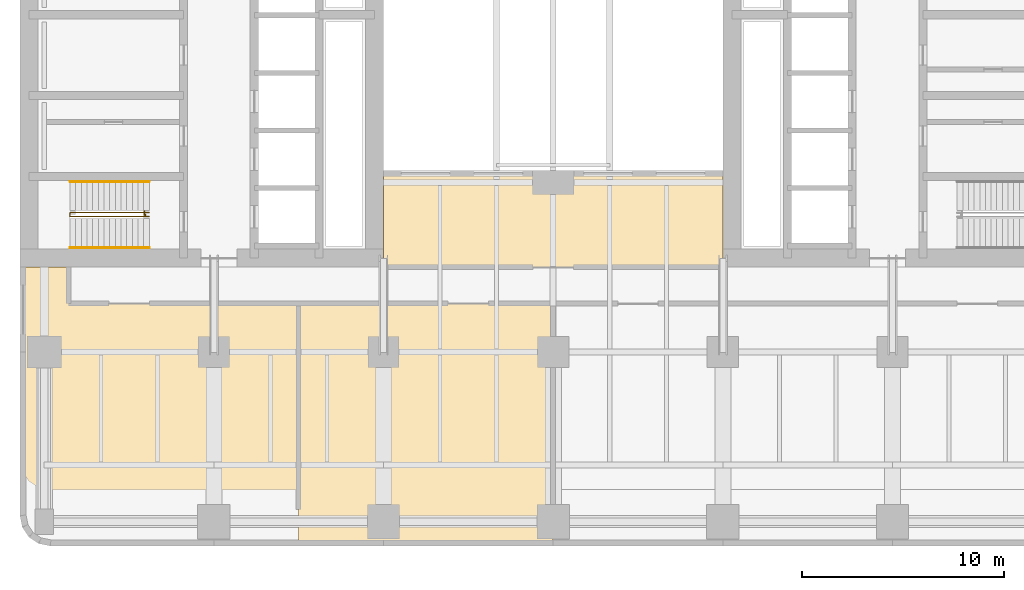
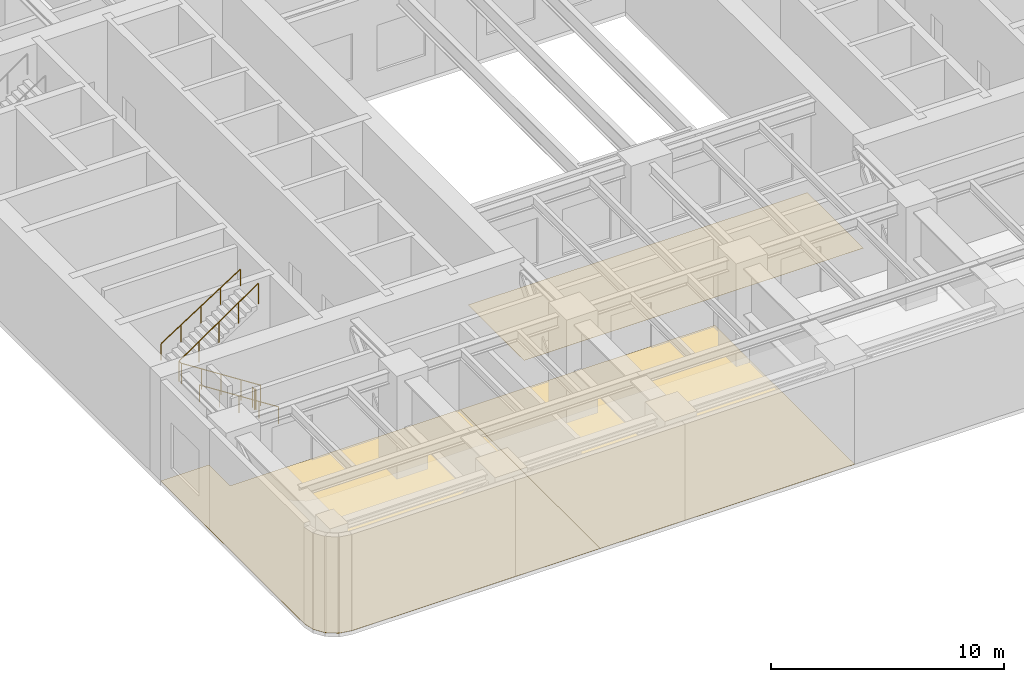
# One storey, part 8 of 11: 4 railings, 3 coverings.
"""IFC4 building model written with IfcOpenShell, lengths in metres."""

from ifc_helpers import new_model, si_unit, direction, frame, origin, origin_2d, place, context, subcontext, project, spatial, polyline, circle, outline, extrude, material, layer, layer_set, type_object, element, save


model = new_model("IFC4")

# Units and contexts
model_context = context("Model", 3, precision=1e-05, world=origin(), true_north=direction((0.0, 1.0)))
body_context = subcontext(model_context, "Body", "Model", "MODEL_VIEW")
ifc_project = project(units=[si_unit("LENGTHUNIT", "METRE"), si_unit("AREAUNIT", "SQUARE_METRE"), si_unit("VOLUMEUNIT", "CUBIC_METRE"), si_unit("PLANEANGLEUNIT", "RADIAN"), si_unit("MASSUNIT", "GRAM", prefix="KILO")], contexts=[model_context])

# Site, building, storey
site_placement = place(None, origin())
site = spatial("IfcSite", under=ifc_project, at=site_placement, CompositionType="ELEMENT")
building_placement = place(site_placement, origin())
building = spatial("IfcBuilding", under=site, at=building_placement, Name="Claustro Exchange Tower", CompositionType="ELEMENT")
storey_placement = place(building_placement, frame((0.0, 0.0, 90.89990234375)))
storey = spatial("IfcBuildingStorey", under=building, at=storey_placement, Name="L20", CompositionType="ELEMENT", Elevation=90.89990234375)

# Coverings
ifc_material_1 = material(Name="Epoxy resin floor finish", Category="resin")
ifc_layer = layer(ifc_material_1, 0.006103515625)
ifc_layer_set = layer_set([ifc_layer], Name="Epoxy resin floor finish")
covering_type = type_object("IfcCoveringType", Name="FL2 resin plant room floor", PredefinedType="FLOORING", material=ifc_layer_set)
covering_1_placement = place(storey_placement, origin())
element("IfcCovering", 1, at=covering_1_placement, inside=storey, type_object=covering_type, Name="Resin floor FL2 L20-01", PredefinedType="FLOORING", context=body_context, shape_type="SweptSolid", body=[
    extrude(outline(polyline([(12.60009765625, -1.199951171875), (25.199951171875, -1.199951171875), (25.199951171875, 10.800048828125), (12.60009765625, 10.800048828125), (12.60009765625, -1.199951171875)])), origin(), (0.0, 0.0, 1.0), 0.006103515625),
])
covering_2_placement = place(storey_placement, origin())
element("IfcCovering", 2, at=covering_2_placement, inside=storey, type_object=covering_type, Name="Resin floor FL2 L20-03", PredefinedType="FLOORING", context=body_context, shape_type="SweptSolid", body=[
    extrude(outline(polyline([(-1.085693359375, -0.27392578125), (-0.7607421875, -0.7607421875), (-0.27392578125, -1.085693359375), (0.300048828125, -1.199951171875), (12.60009765625, -1.199951171875), (12.60009765625, 10.800048828125), (1.199951171875, 10.800048828125), (1.199951171875, 12.60009765625), (-1.199951171875, 12.60009765625), (-1.199951171875, 0.300048828125), (-1.085693359375, -0.27392578125)])), origin(), (0.0, 0.0, 1.0), 0.006103515625),
])
covering_3_placement = place(storey_placement, origin())
element("IfcCovering", 3, at=covering_3_placement, inside=storey, type_object=covering_type, Name="Resin floor FL2 L20-05", PredefinedType="FLOORING", context=body_context, shape_type="SweptSolid", body=[
    extrude(outline(polyline([(16.800048828125, 17.39990234375), (16.800048828125, 12.60009765625), (33.60009765625, 12.60009765625), (33.60009765625, 17.39990234375), (16.800048828125, 17.39990234375)])), origin(), (0.0, 0.0, 1.0), 0.006103515625),
])

# Railings
ifc_material_2 = material(Name="Steel balustrade, painted", Category="steel")
railing_type_1 = type_object("IfcRailingType", Name="GR2 1100 steel stair guard", PredefinedType="GUARDRAIL", material=ifc_material_2)
railing_1_placement = place(storey_placement, frame((5.199951171875, 15.10009765625, 0.18017578125)))
element("IfcRailing", 4, at=railing_1_placement, inside=storey, type_object=railing_type_1, Name="Stair well guard GR2 stair STWA L20", PredefinedType="GUARDRAIL", context=body_context, shape_type="SweptSolid", body=[
    extrude(circle(Radius=0.02392578125, at=origin_2d()), frame((0.0, 0.0, 1.076171875), z_axis=(-0.841171666519, 0.0, 0.540768182723), x_axis=(0.0, -1.0, 0.0)), (0.0, 0.0, 1.0), 4.66015625),
    extrude(circle(Radius=0.02392578125, at=origin_2d()), frame((-3.919921875, 0.0, 3.59619140625), z_axis=(0.0, 1.0, 0.0), x_axis=(-1.0, 0.0, 0.0)), (0.0, 0.0, 1.0), 0.199951171875),
    extrude(circle(Radius=0.02392578125, at=origin_2d()), frame((-3.919921875, 0.199951171875, 3.59619140625), z_axis=(0.823550731654, 0.0, 0.567242622158), x_axis=(0.0, 1.0, 0.0)), (0.0, 0.0, 1.0), 4.759765625),
    extrude(circle(Radius=0.02099609375, at=origin_2d()), origin(), (0.0, 0.0, 1.0), 1.052001953125),
    extrude(circle(Radius=0.02099609375, at=origin_2d()), frame((-0.97998046875, 0.0, 0.6298828125)), (0.0, 0.0, 1.0), 1.052001953125),
    extrude(circle(Radius=0.02099609375, at=origin_2d()), frame((-1.9599609375, 0.0, 1.260009765625)), (0.0, 0.0, 1.0), 1.052001953125),
    extrude(circle(Radius=0.02099609375, at=origin_2d()), frame((-2.93994140625, 0.0, 1.89013671875)), (0.0, 0.0, 1.0), 1.052001953125),
    extrude(circle(Radius=0.02099609375, at=origin_2d()), frame((-3.919921875, 0.0, 2.52001953125)), (0.0, 0.0, 1.0), 1.052001953125),
    extrude(circle(Radius=0.02099609375, at=origin_2d()), frame((-3.919921875, 0.199951171875, 2.52001953125)), (0.0, 0.0, 1.0), 1.052001953125),
    extrude(circle(Radius=0.02099609375, at=origin_2d()), frame((-2.93994140625, 0.199951171875, 3.195068359375)), (0.0, 0.0, 1.0), 1.052001953125),
    extrude(circle(Radius=0.02099609375, at=origin_2d()), frame((-1.9599609375, 0.199951171875, 3.8701171875)), (0.0, 0.0, 1.0), 1.052001953125),
    extrude(circle(Radius=0.02099609375, at=origin_2d()), frame((-0.97998046875, 0.199951171875, 4.544921875)), (0.0, 0.0, 1.0), 1.052001953125),
    extrude(circle(Radius=0.02099609375, at=origin_2d()), frame((0.0, 0.199951171875, 5.219970703125)), (0.0, 0.0, 1.0), 1.052001953125),
])
railing_2_placement = place(storey_placement, frame((5.0, 15.169921875, 0.0)))
element("IfcRailing", 5, at=railing_2_placement, inside=storey, type_object=railing_type_1, Name="Stair guard GR2 STWA L20", PredefinedType="GUARDRAIL", context=body_context, shape_type="SweptSolid", body=[
    extrude(circle(Radius=0.02392578125, at=origin_2d()), frame((0.0, 0.0, 1.076171875), z_axis=(0.0, 1.0, 0.0), x_axis=(-1.0, 0.0, 0.0)), (0.0, 0.0, 1.0), 0.030029296875),
    extrude(circle(Radius=0.02392578125, at=origin_2d()), frame((0.0, 0.030029296875, 1.076171875), z_axis=(-1.0, 0.0, 0.0), x_axis=(0.0, -1.0, 0.0)), (0.0, 0.0, 1.0), 0.054931640625),
    extrude(circle(Radius=0.02392578125, at=origin_2d()), frame((-0.054931640625, 0.030029296875, 1.076171875), z_axis=(0.0, 1.0, 0.0), x_axis=(-1.0, 0.0, 0.0)), (0.0, 0.0, 1.0), 0.179931640625),
    extrude(circle(Radius=0.02099609375, at=origin_2d()), origin(), (0.0, 0.0, 1.0), 1.052001953125),
    extrude(circle(Radius=0.02099609375, at=origin_2d()), frame((0.0, 0.030029296875, 0.0)), (0.0, 0.0, 1.0), 1.052001953125),
    extrude(circle(Radius=0.02099609375, at=origin_2d()), frame((-0.054931640625, 0.030029296875, 0.0)), (0.0, 0.0, 1.0), 1.052001953125),
    extrude(circle(Radius=0.02099609375, at=origin_2d()), frame((-0.054931640625, 0.2099609375, 0.0)), (0.0, 0.0, 1.0), 1.052001953125),
])
ifc_material_3 = material(Name="Stainless steel tube", Category="steel")
railing_type_2 = type_object("IfcRailingType", Name="HR1 900 stair handrail", PredefinedType="HANDRAIL", material=ifc_material_3)
railing_3_placement = place(storey_placement, frame((5.199951171875, 13.56005859375, 0.18017578125)))
element("IfcRailing", 6, at=railing_3_placement, inside=storey, type_object=railing_type_2, Name="Handrail HR1 stair STWA L20", PredefinedType="HANDRAIL", context=body_context, shape_type="SweptSolid", body=[
    extrude(circle(Radius=0.02392578125, at=origin_2d()), frame((0.0, 0.0, 0.8759765625), z_axis=(-0.841171666519, 0.0, 0.540768182723), x_axis=(0.0, -1.0, 0.0)), (0.0, 0.0, 1.0), 4.66015625),
    extrude(circle(Radius=0.02099609375, at=origin_2d()), origin(), (0.0, 0.0, 1.0), 0.851806640625),
    extrude(circle(Radius=0.02099609375, at=origin_2d()), frame((-0.97998046875, 0.0, 0.6298828125)), (0.0, 0.0, 1.0), 0.851806640625),
    extrude(circle(Radius=0.02099609375, at=origin_2d()), frame((-1.9599609375, 0.0, 1.260009765625)), (0.0, 0.0, 1.0), 0.851806640625),
    extrude(circle(Radius=0.02099609375, at=origin_2d()), frame((-2.93994140625, 0.0, 1.89013671875)), (0.0, 0.0, 1.0), 0.851806640625),
    extrude(circle(Radius=0.02099609375, at=origin_2d()), frame((-3.919921875, 0.0, 2.52001953125)), (0.0, 0.0, 1.0), 0.851806640625),
])
railing_4_placement = place(storey_placement, frame((1.280029296875, 16.840087890625, 2.880126953125)))
element("IfcRailing", 7, at=railing_4_placement, inside=storey, type_object=railing_type_2, Name="Handrail HR1 stair STWA L20", PredefinedType="HANDRAIL", context=body_context, shape_type="SweptSolid", body=[
    extrude(circle(Radius=0.02392578125, at=origin_2d()), frame((0.0, 0.0, 0.8759765625), z_axis=(0.841171666519, 0.0, 0.540768182723), x_axis=(0.0, 1.0, 0.0)), (0.0, 0.0, 1.0), 4.66015625),
    extrude(circle(Radius=0.02099609375, at=origin_2d()), origin(), (0.0, 0.0, 1.0), 0.851806640625),
    extrude(circle(Radius=0.02099609375, at=origin_2d()), frame((0.97998046875, 0.0, 0.6298828125)), (0.0, 0.0, 1.0), 0.851806640625),
    extrude(circle(Radius=0.02099609375, at=origin_2d()), frame((1.9599609375, 0.0, 1.260009765625)), (0.0, 0.0, 1.0), 0.851806640625),
    extrude(circle(Radius=0.02099609375, at=origin_2d()), frame((2.93994140625, 0.0, 1.89013671875)), (0.0, 0.0, 1.0), 0.851806640625),
    extrude(circle(Radius=0.02099609375, at=origin_2d()), frame((3.919921875, 0.0, 2.52001953125)), (0.0, 0.0, 1.0), 0.851806640625),
])

save(model, "model.ifc")
